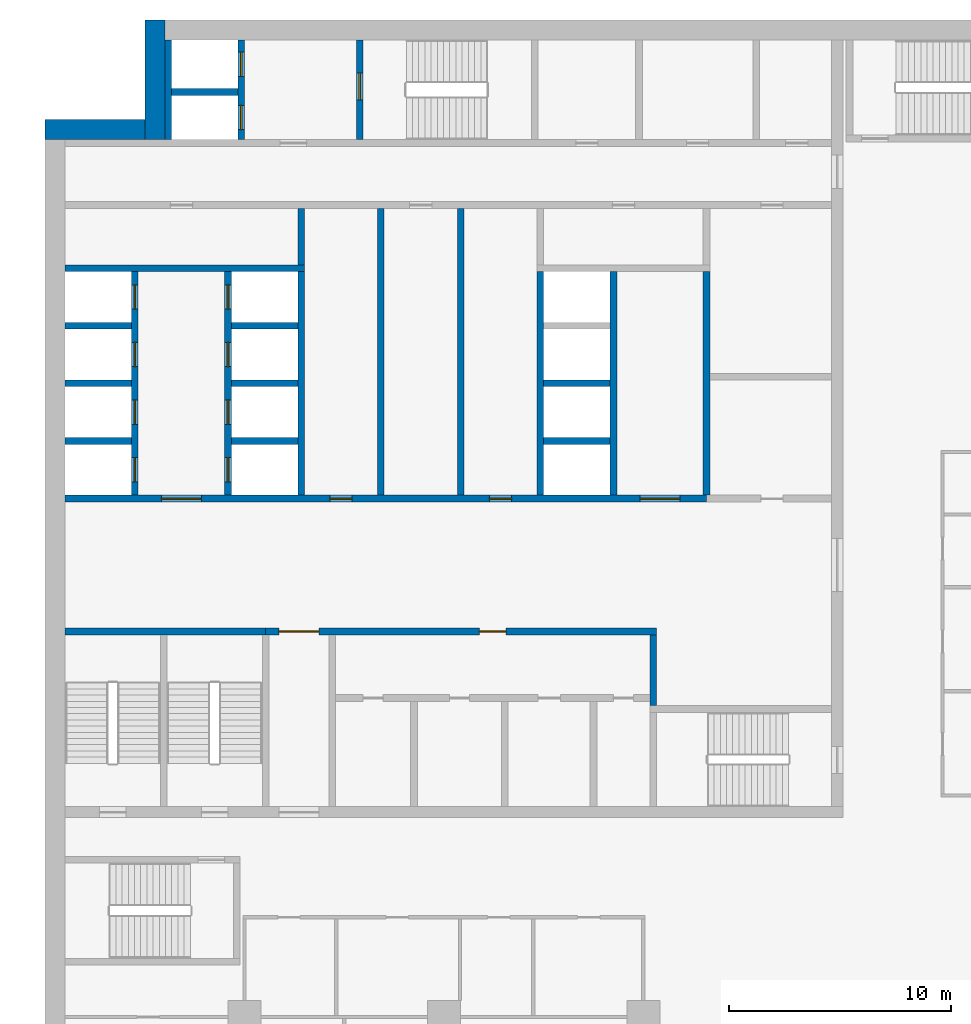
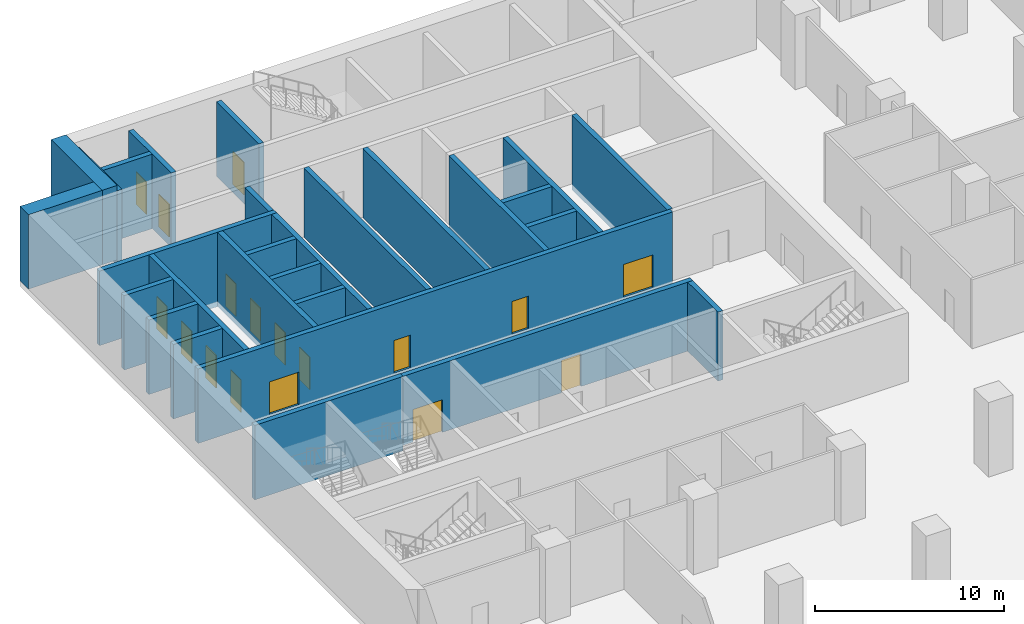
# One storey, part 15 of 31: 28 walls, 17 doors, 17 openings.
"""IFC4 building model written with IfcOpenShell, lengths in metres."""

from ifc_helpers import new_model, si_unit, direction, frame, frame_2d, origin, place, context, subcontext, project, spatial, rectangle, extrude, material, layer, layer_set, type_object, element, fill, save


model = new_model("IFC4")

# Units and contexts
model_context = context("Model", 3, precision=1e-05, world=origin(), true_north=direction((0.0, 1.0)))
body_context = subcontext(model_context, "Body", "Model", "MODEL_VIEW")
ifc_project = project(units=[si_unit("LENGTHUNIT", "METRE"), si_unit("AREAUNIT", "SQUARE_METRE"), si_unit("VOLUMEUNIT", "CUBIC_METRE"), si_unit("PLANEANGLEUNIT", "RADIAN"), si_unit("MASSUNIT", "GRAM", prefix="KILO")], contexts=[model_context])

# Site, building, storey
site_placement = place(None, origin())
site = spatial("IfcSite", under=ifc_project, at=site_placement, CompositionType="ELEMENT")
building_placement = place(site_placement, origin())
building = spatial("IfcBuilding", under=site, at=building_placement, Name="Hunhe Ridgeline Campus", CompositionType="ELEMENT")
storey_placement = place(building_placement, frame((0.0, 0.0, 16.800048828125)))
storey = spatial("IfcBuildingStorey", under=building, at=storey_placement, Name="L03", CompositionType="ELEMENT", Elevation=16.800048828125)

# Wall, openings, doors
ifc_material_1 = material(Name="Masonry concrete blockwork", Category="masonry")
ifc_layer_1 = layer(ifc_material_1, 0.300048828125)
ifc_layer_set_1 = layer_set([ifc_layer_1], Name="Core room partition 300 concrete block")
wall_type_1 = type_object("IfcWallType", Name="Core room partition 300 concrete block", PredefinedType="PARTITIONING", material=ifc_layer_set_1)
wall_1_placement = place(storey_placement, frame((9.949951171875, 71.39990234375, 0.0), z_axis=(0.0, 0.0, 1.0), x_axis=(1.0, 0.0, 0.0)))
wall_1 = element("IfcWall", 1, at=wall_1_placement, inside=storey, type_object=wall_type_1, Name="L03 core partition 13", PredefinedType="PARTITIONING", context=body_context, shape_type="SweptSolid", body=[
    extrude(rectangle(XDim=17.650146484375, YDim=0.300048828125, at=frame_2d((8.8251953125, 0.0))), origin(), (0.0, 0.0, 1.0), 4.449951171875),
])
opening_1_placement = place(wall_1_placement, frame((0.60009765625, 0.0, 0.0)))
opening_1 = element("IfcOpeningElement", 2, at=opening_1_placement, cuts=wall_1, Name="Opening CD7", PredefinedType="OPENING", context=body_context, shape_type="SweptSolid", body=[
    extrude(rectangle(XDim=1.800048828125, YDim=2.10009765625, at=frame_2d((0.89990234375, 1.050048828125))), frame((0.0, 0.14990234375, 0.0), z_axis=(0.0, -1.0, 0.0), x_axis=(1.0, 0.0, 0.0)), (0.0, 0.0, 1.0), 0.300048828125),
])
opening_2_placement = place(wall_1_placement, frame((9.64990234375, 0.0, 0.0)))
opening_2 = element("IfcOpeningElement", 3, at=opening_2_placement, cuts=wall_1, Name="Opening CD12", PredefinedType="OPENING", context=body_context, shape_type="SweptSolid", body=[
    extrude(rectangle(XDim=1.199951171875, YDim=2.10009765625, at=frame_2d((0.60009765625, 1.050048828125))), frame((0.0, 0.14990234375, 0.0), z_axis=(0.0, -1.0, 0.0), x_axis=(1.0, 0.0, 0.0)), (0.0, 0.0, 1.0), 0.300048828125),
])
ifc_material_2 = material(Name="Anodised aluminium and glass", Category="aluminium")
door_type_1 = type_object("IfcDoorType", Name="Glazed double door 1800x2100", OperationType="DOUBLE_DOOR_SINGLE_SWING", PredefinedType="DOOR", material=ifc_material_2)
door_1_placement = place(opening_1_placement, origin())
door_1 = element("IfcDoor", 4, at=door_1_placement, inside=storey, type_object=door_type_1, Name="L03 door VEST-HALL", OperationType="DOUBLE_DOOR_SINGLE_SWING", OverallHeight=2.10009765625, OverallWidth=1.800048828125, PredefinedType="DOOR", context=body_context, shape_type="SweptSolid", body=[
    extrude(rectangle(XDim=1.800048828125, YDim=2.10009765625, at=frame_2d((0.89990234375, 1.050048828125))), frame((0.0, 0.02490234375, 0.0), z_axis=(0.0, -1.0, 0.0), x_axis=(1.0, 0.0, 0.0)), (0.0, 0.0, 1.0), 0.050048828125),
])
fill(opening_1, door_1)
ifc_material_3 = material(Name="Solid core timber door leaf", Category="wood")
door_type_2 = type_object("IfcDoorType", Name="Timber door 1200x2100", OperationType="SINGLE_SWING_LEFT", PredefinedType="DOOR", material=ifc_material_3)
door_2_placement = place(opening_2_placement, origin())
door_2 = element("IfcDoor", 5, at=door_2_placement, inside=storey, type_object=door_type_2, Name="L03 door WCL2-HALL", OperationType="SINGLE_SWING_LEFT", OverallHeight=2.10009765625, OverallWidth=1.199951171875, PredefinedType="DOOR", context=body_context, shape_type="SweptSolid", body=[
    extrude(rectangle(XDim=1.199951171875, YDim=2.10009765625, at=frame_2d((0.60009765625, 1.050048828125))), frame((0.0, 0.02490234375, 0.0), z_axis=(0.0, -1.0, 0.0), x_axis=(1.0, 0.0, 0.0)), (0.0, 0.0, 1.0), 0.050048828125),
])
fill(opening_2, door_2)

# Walls
wall_2_placement = place(storey_placement, frame((11.550048828125, 87.949951171875, 0.0), z_axis=(0.0, 0.0, 1.0), x_axis=(0.0, 1.0, 0.0)))
element("IfcWall", 6, at=wall_2_placement, inside=storey, type_object=wall_type_1, Name="L03 core partition 44", PredefinedType="PARTITIONING", context=body_context, shape_type="SweptSolid", body=[
    extrude(rectangle(XDim=2.550048828125, YDim=0.300048828125, at=frame_2d((1.27490234375, 0.0))), origin(), (0.0, 0.0, 1.0), 4.449951171875),
])
for number, where, z_axis, x_axis, name in (
    (7, (15.14990234375, 77.550048828125, 0.0), (0.0, 0.0, 1.0), (0.0, 1.0, 0.0), "L03 core partition 47"),
    (8, (18.75, 77.550048828125, 0.0), (0.0, 0.0, 1.0), (0.0, 1.0, 0.0), "L03 core partition 49"),
):
    element("IfcWall", number, at=place(storey_placement, frame(where, z_axis=z_axis, x_axis=x_axis)), inside=storey, type_object=wall_type_1, Name=name, PredefinedType="PARTITIONING", context=body_context, shape_type="SweptSolid", body=[
        extrude(rectangle(XDim=12.949951171875, YDim=0.300048828125, at=frame_2d((6.47509765625, 0.0))), origin(), (0.0, 0.0, 1.0), 4.449951171875),
    ])
wall_3_placement = place(storey_placement, frame((27.449951171875, 68.050048828125, 0.0), z_axis=(0.0, 0.0, 1.0), x_axis=(0.0, 1.0, 0.0)))
element("IfcWall", 9, at=wall_3_placement, inside=storey, type_object=wall_type_1, Name="L03 core partition 60", PredefinedType="PARTITIONING", context=body_context, shape_type="SweptSolid", body=[
    extrude(rectangle(XDim=3.199951171875, YDim=0.300048828125, at=frame_2d((1.60009765625, 0.0))), origin(), (0.0, 0.0, 1.0), 4.449951171875),
])
ifc_material_4 = material(Name="Concrete C80", Category="concrete")
ifc_layer_2 = layer(ifc_material_4, 0.300048828125)
ifc_layer_set_2 = layer_set([ifc_layer_2], Name="Lobby wall 300 reinforced concrete C80")
wall_type_2 = type_object("IfcWallType", Name="Lobby wall 300 reinforced concrete C80", PredefinedType="SOLIDWALL", material=ifc_layer_set_2)
wall_4_placement = place(storey_placement, frame((29.85009765625, 77.550048828125, -0.35009765625), z_axis=(0.0, 0.0, 1.0), x_axis=(0.0, 1.0, 0.0)))
element("IfcWall", 10, at=wall_4_placement, inside=storey, type_object=wall_type_2, Name="L03 core wall 61", PredefinedType="SOLIDWALL", context=body_context, shape_type="SweptSolid", body=[
    extrude(rectangle(XDim=10.099853515625, YDim=0.300048828125, at=frame_2d((5.0498046875, 0.0))), origin(), (0.0, 0.0, 1.0), 4.800048828125),
])

# Wall, openings, doors
ifc_layer_3 = layer(ifc_material_4, 0.300048828125)
ifc_layer_set_3 = layer_set([ifc_layer_3], Name="Shaft wall 300 reinforced concrete C80")
wall_type_3 = type_object("IfcWallType", Name="Shaft wall 300 reinforced concrete C80", PredefinedType="SOLIDWALL", material=ifc_layer_set_3)
wall_5_placement = place(storey_placement, frame((0.89990234375, 77.39990234375, -0.35009765625), z_axis=(0.0, 0.0, 1.0), x_axis=(1.0, 0.0, 0.0)))
wall_5 = element("IfcWall", 11, at=wall_5_placement, inside=storey, type_object=wall_type_3, Name="L03 core wall 14", PredefinedType="SOLIDWALL", context=body_context, shape_type="SweptSolid", body=[
    extrude(rectangle(XDim=28.9501953125, YDim=0.300048828125, at=frame_2d((14.47509765625, 0.0))), origin(), (0.0, 0.0, 1.0), 4.800048828125),
])
opening_3_placement = place(wall_5_placement, frame((4.35009765625, 0.0, 0.35009765625)))
opening_3 = element("IfcOpeningElement", 12, at=opening_3_placement, cuts=wall_5, Name="Opening CD1", PredefinedType="OPENING", context=body_context, shape_type="SweptSolid", body=[
    extrude(rectangle(XDim=1.800048828125, YDim=2.10009765625, at=frame_2d((0.89990234375, 1.050048828125))), frame((0.0, 0.14990234375, 0.0), z_axis=(0.0, -1.0, 0.0), x_axis=(1.0, 0.0, 0.0)), (0.0, 0.0, 1.0), 0.300048828125),
])
opening_4_placement = place(wall_5_placement, frame((25.949951171875, 0.0, 0.35009765625)))
opening_4 = element("IfcOpeningElement", 13, at=opening_4_placement, cuts=wall_5, Name="Opening CD2", PredefinedType="OPENING", context=body_context, shape_type="SweptSolid", body=[
    extrude(rectangle(XDim=1.800048828125, YDim=2.10009765625, at=frame_2d((0.89990234375, 1.050048828125))), frame((0.0, 0.14990234375, 0.0), z_axis=(0.0, -1.0, 0.0), x_axis=(1.0, 0.0, 0.0)), (0.0, 0.0, 1.0), 0.300048828125),
])
opening_5_placement = place(wall_5_placement, frame((11.949951171875, 0.0, 0.35009765625)))
opening_5 = element("IfcOpeningElement", 14, at=opening_5_placement, cuts=wall_5, Name="Opening CD28", PredefinedType="OPENING", context=body_context, shape_type="SweptSolid", body=[
    extrude(rectangle(XDim=1.0, YDim=2.10009765625, at=frame_2d((0.5, 1.050048828125))), frame((0.0, 0.14990234375, 0.0), z_axis=(0.0, -1.0, 0.0), x_axis=(1.0, 0.0, 0.0)), (0.0, 0.0, 1.0), 0.300048828125),
])
opening_6_placement = place(wall_5_placement, frame((19.14990234375, 0.0, 0.35009765625)))
opening_6 = element("IfcOpeningElement", 15, at=opening_6_placement, cuts=wall_5, Name="Opening CD30", PredefinedType="OPENING", context=body_context, shape_type="SweptSolid", body=[
    extrude(rectangle(XDim=1.0, YDim=2.10009765625, at=frame_2d((0.5, 1.050048828125))), frame((0.0, 0.14990234375, 0.0), z_axis=(0.0, -1.0, 0.0), x_axis=(1.0, 0.0, 0.0)), (0.0, 0.0, 1.0), 0.300048828125),
])
ifc_material_5 = material(Name="Hollow metal fire door leaf")
door_type_3 = type_object("IfcDoorType", Name="Lobby door 1800x2100 FD60", OperationType="SINGLE_SWING_LEFT", PredefinedType="DOOR", material=ifc_material_5)
door_3_placement = place(opening_3_placement, frame((1.800048828125, 0.0, 0.0), z_axis=(0.0, 0.0, 1.0), x_axis=(-1.0, 0.0, 0.0)))
door_3 = element("IfcDoor", 16, at=door_3_placement, inside=storey, type_object=door_type_3, Name="L03 door LOB-LR", OperationType="SINGLE_SWING_RIGHT", OverallHeight=2.10009765625, OverallWidth=1.800048828125, PredefinedType="DOOR", context=body_context, shape_type="SweptSolid", body=[
    extrude(rectangle(XDim=1.800048828125, YDim=2.10009765625, at=frame_2d((0.89990234375, 1.050048828125))), frame((0.0, 0.02490234375, 0.0), z_axis=(0.0, -1.0, 0.0), x_axis=(1.0, 0.0, 0.0)), (0.0, 0.0, 1.0), 0.050048828125),
])
fill(opening_3, door_3)
door_4_placement = place(opening_4_placement, frame((1.800048828125, 0.0, 0.0), z_axis=(0.0, 0.0, 1.0), x_axis=(-1.0, 0.0, 0.0)))
door_4 = element("IfcDoor", 17, at=door_4_placement, inside=storey, type_object=door_type_3, Name="L03 door LOB-SH", OperationType="SINGLE_SWING_LEFT", OverallHeight=2.10009765625, OverallWidth=1.800048828125, PredefinedType="DOOR", context=body_context, shape_type="SweptSolid", body=[
    extrude(rectangle(XDim=1.800048828125, YDim=2.10009765625, at=frame_2d((0.89990234375, 1.050048828125))), frame((0.0, 0.02490234375, 0.0), z_axis=(0.0, -1.0, 0.0), x_axis=(1.0, 0.0, 0.0)), (0.0, 0.0, 1.0), 0.050048828125),
])
fill(opening_4, door_4)
door_type_4 = type_object("IfcDoorType", Name="Timber door 1000x2100", OperationType="SINGLE_SWING_LEFT", PredefinedType="DOOR", material=ifc_material_3)
door_5_placement = place(opening_5_placement, origin())
door_5 = element("IfcDoor", 18, at=door_5_placement, inside=storey, type_object=door_type_4, Name="L03 door VD-HR0", OperationType="SINGLE_SWING_LEFT", OverallHeight=2.10009765625, OverallWidth=1.0, PredefinedType="DOOR", context=body_context, shape_type="SweptSolid", body=[
    extrude(rectangle(XDim=1.0, YDim=2.10009765625, at=frame_2d((0.5, 1.050048828125))), frame((0.0, 0.02490234375, 0.0), z_axis=(0.0, -1.0, 0.0), x_axis=(1.0, 0.0, 0.0)), (0.0, 0.0, 1.0), 0.050048828125),
])
fill(opening_5, door_5)
door_6_placement = place(opening_6_placement, origin())
door_6 = element("IfcDoor", 19, at=door_6_placement, inside=storey, type_object=door_type_4, Name="L03 door VD-HR2", OperationType="SINGLE_SWING_LEFT", OverallHeight=2.10009765625, OverallWidth=1.0, PredefinedType="DOOR", context=body_context, shape_type="SweptSolid", body=[
    extrude(rectangle(XDim=1.0, YDim=2.10009765625, at=frame_2d((0.5, 1.050048828125))), frame((0.0, 0.02490234375, 0.0), z_axis=(0.0, -1.0, 0.0), x_axis=(1.0, 0.0, 0.0)), (0.0, 0.0, 1.0), 0.050048828125),
])
fill(opening_6, door_6)

# Walls
for number, where, z_axis, x_axis, name in (
    (20, (0.89990234375, 80.0, -0.35009765625), (0.0, 0.0, 1.0), (1.0, 0.0, 0.0), "L03 core wall 16"),
    (21, (8.39990234375, 80.0, -0.35009765625), (0.0, 0.0, 1.0), (1.0, 0.0, 0.0), "L03 core wall 17"),
    (22, (22.5, 80.0, -0.35009765625), (0.0, 0.0, 1.0), (1.0, 0.0, 0.0), "L03 core wall 18"),
    (23, (0.89990234375, 82.60009765625, -0.35009765625), (0.0, 0.0, 1.0), (1.0, 0.0, 0.0), "L03 core wall 19"),
    (24, (8.39990234375, 82.60009765625, -0.35009765625), (0.0, 0.0, 1.0), (1.0, 0.0, 0.0), "L03 core wall 20"),
    (25, (22.5, 82.60009765625, -0.35009765625), (0.0, 0.0, 1.0), (1.0, 0.0, 0.0), "L03 core wall 21"),
    (26, (0.89990234375, 85.199951171875, -0.35009765625), (0.0, 0.0, 1.0), (1.0, 0.0, 0.0), "L03 core wall 23"),
    (27, (8.39990234375, 85.199951171875, -0.35009765625), (0.0, 0.0, 1.0), (1.0, 0.0, 0.0), "L03 core wall 24"),
):
    element("IfcWall", number, at=place(storey_placement, frame(where, z_axis=z_axis, x_axis=x_axis)), inside=storey, type_object=wall_type_3, Name=name, PredefinedType="SOLIDWALL", context=body_context, shape_type="SweptSolid", body=[
        extrude(rectangle(XDim=3.0, YDim=0.300048828125, at=frame_2d((1.5, 0.0))), origin(), (0.0, 0.0, 1.0), 4.800048828125),
    ])
wall_6_placement = place(storey_placement, frame((0.89990234375, 87.800048828125, -0.35009765625), z_axis=(0.0, 0.0, 1.0), x_axis=(1.0, 0.0, 0.0)))
element("IfcWall", 28, at=wall_6_placement, inside=storey, type_object=wall_type_3, Name="L03 core wall 26", PredefinedType="SOLIDWALL", context=body_context, shape_type="SweptSolid", body=[
    extrude(rectangle(XDim=10.800048828125, YDim=0.300048828125, at=frame_2d((5.39990234375, 0.0))), origin(), (0.0, 0.0, 1.0), 4.800048828125),
])
wall_7_placement = place(storey_placement, frame((5.699951171875, 95.75, -0.35009765625), z_axis=(0.0, 0.0, 1.0), x_axis=(1.0, 0.0, 0.0)))
element("IfcWall", 29, at=wall_7_placement, inside=storey, type_object=wall_type_3, Name="L03 core wall 34", PredefinedType="SOLIDWALL", context=body_context, shape_type="SweptSolid", body=[
    extrude(rectangle(XDim=3.0, YDim=0.300048828125, at=frame_2d((1.5, 0.0))), origin(), (0.0, 0.0, 1.0), 4.800048828125),
])

# Wall, openings, doors
wall_8_placement = place(storey_placement, frame((4.050048828125, 77.550048828125, -0.35009765625), z_axis=(0.0, 0.0, 1.0), x_axis=(0.0, 1.0, 0.0)))
wall_8 = element("IfcWall", 30, at=wall_8_placement, inside=storey, type_object=wall_type_3, Name="L03 core wall 35", PredefinedType="SOLIDWALL", context=body_context, shape_type="SweptSolid", body=[
    extrude(rectangle(XDim=10.099853515625, YDim=0.300048828125, at=frame_2d((5.0498046875, 0.0))), origin(), (0.0, 0.0, 1.0), 4.800048828125),
])
opening_7_placement = place(wall_8_placement, frame((0.60009765625, 0.0, 0.35009765625)))
opening_7 = element("IfcOpeningElement", 31, at=opening_7_placement, cuts=wall_8, Name="Opening LD-LR1", PredefinedType="OPENING", context=body_context, shape_type="SweptSolid", body=[
    extrude(rectangle(XDim=1.10009765625, YDim=2.10009765625, at=frame_2d((0.550048828125, 1.050048828125))), frame((0.0, 0.14990234375, 0.0), z_axis=(0.0, -1.0, 0.0), x_axis=(1.0, 0.0, 0.0)), (0.0, 0.0, 1.0), 0.300048828125),
])
opening_8_placement = place(wall_8_placement, frame((3.199951171875, 0.0, 0.35009765625)))
opening_8 = element("IfcOpeningElement", 32, at=opening_8_placement, cuts=wall_8, Name="Opening LD-LR2", PredefinedType="OPENING", context=body_context, shape_type="SweptSolid", body=[
    extrude(rectangle(XDim=1.10009765625, YDim=2.10009765625, at=frame_2d((0.550048828125, 1.050048828125))), frame((0.0, 0.14990234375, 0.0), z_axis=(0.0, -1.0, 0.0), x_axis=(1.0, 0.0, 0.0)), (0.0, 0.0, 1.0), 0.300048828125),
])
opening_9_placement = place(wall_8_placement, frame((5.800048828125, 0.0, 0.35009765625)))
opening_9 = element("IfcOpeningElement", 33, at=opening_9_placement, cuts=wall_8, Name="Opening LD-LR3", PredefinedType="OPENING", context=body_context, shape_type="SweptSolid", body=[
    extrude(rectangle(XDim=1.10009765625, YDim=2.10009765625, at=frame_2d((0.550048828125, 1.050048828125))), frame((0.0, 0.14990234375, 0.0), z_axis=(0.0, -1.0, 0.0), x_axis=(1.0, 0.0, 0.0)), (0.0, 0.0, 1.0), 0.300048828125),
])
opening_10_placement = place(wall_8_placement, frame((8.39990234375, 0.0, 0.35009765625)))
opening_10 = element("IfcOpeningElement", 34, at=opening_10_placement, cuts=wall_8, Name="Opening LD-LR4", PredefinedType="OPENING", context=body_context, shape_type="SweptSolid", body=[
    extrude(rectangle(XDim=1.10009765625, YDim=2.10009765625, at=frame_2d((0.550048828125, 1.050048828125))), frame((0.0, 0.14990234375, 0.0), z_axis=(0.0, -1.0, 0.0), x_axis=(1.0, 0.0, 0.0)), (0.0, 0.0, 1.0), 0.300048828125),
])
ifc_material_6 = material(Name="Stainless steel sliding leaves", Category="steel")
door_type_5 = type_object("IfcDoorType", Name="Landing door 1100x2100 FD120", OperationType="SLIDING_TO_LEFT", PredefinedType="DOOR", material=ifc_material_6)
door_7_placement = place(opening_7_placement, origin())
door_7 = element("IfcDoor", 35, at=door_7_placement, inside=storey, type_object=door_type_5, Name="L03 landing door LR1", OperationType="SLIDING_TO_RIGHT", OverallHeight=2.10009765625, OverallWidth=1.10009765625, PredefinedType="DOOR", context=body_context, shape_type="SweptSolid", body=[
    extrude(rectangle(XDim=1.10009765625, YDim=2.10009765625, at=frame_2d((0.550048828125, 1.050048828125))), frame((0.0, 0.02490234375, 0.0), z_axis=(0.0, -1.0, 0.0), x_axis=(1.0, 0.0, 0.0)), (0.0, 0.0, 1.0), 0.050048828125),
])
fill(opening_7, door_7)
door_8_placement = place(opening_8_placement, origin())
door_8 = element("IfcDoor", 36, at=door_8_placement, inside=storey, type_object=door_type_5, Name="L03 landing door LR2", OperationType="SLIDING_TO_LEFT", OverallHeight=2.10009765625, OverallWidth=1.10009765625, PredefinedType="DOOR", context=body_context, shape_type="SweptSolid", body=[
    extrude(rectangle(XDim=1.10009765625, YDim=2.10009765625, at=frame_2d((0.550048828125, 1.050048828125))), frame((0.0, 0.02490234375, 0.0), z_axis=(0.0, -1.0, 0.0), x_axis=(1.0, 0.0, 0.0)), (0.0, 0.0, 1.0), 0.050048828125),
])
fill(opening_8, door_8)
door_9_placement = place(opening_9_placement, origin())
door_9 = element("IfcDoor", 37, at=door_9_placement, inside=storey, type_object=door_type_5, Name="L03 landing door LR3", OperationType="SLIDING_TO_RIGHT", OverallHeight=2.10009765625, OverallWidth=1.10009765625, PredefinedType="DOOR", context=body_context, shape_type="SweptSolid", body=[
    extrude(rectangle(XDim=1.10009765625, YDim=2.10009765625, at=frame_2d((0.550048828125, 1.050048828125))), frame((0.0, 0.02490234375, 0.0), z_axis=(0.0, -1.0, 0.0), x_axis=(1.0, 0.0, 0.0)), (0.0, 0.0, 1.0), 0.050048828125),
])
fill(opening_9, door_9)
door_10_placement = place(opening_10_placement, origin())
door_10 = element("IfcDoor", 38, at=door_10_placement, inside=storey, type_object=door_type_5, Name="L03 landing door LR4", OperationType="SLIDING_TO_LEFT", OverallHeight=2.10009765625, OverallWidth=1.10009765625, PredefinedType="DOOR", context=body_context, shape_type="SweptSolid", body=[
    extrude(rectangle(XDim=1.10009765625, YDim=2.10009765625, at=frame_2d((0.550048828125, 1.050048828125))), frame((0.0, 0.02490234375, 0.0), z_axis=(0.0, -1.0, 0.0), x_axis=(1.0, 0.0, 0.0)), (0.0, 0.0, 1.0), 0.050048828125),
])
fill(opening_10, door_10)

# Wall
wall_9_placement = place(storey_placement, frame((5.550048828125, 93.60009765625, -0.35009765625), z_axis=(0.0, 0.0, 1.0), x_axis=(0.0, 1.0, 0.0)))
element("IfcWall", 39, at=wall_9_placement, inside=storey, type_object=wall_type_3, Name="L03 core wall 37", PredefinedType="SOLIDWALL", context=body_context, shape_type="SweptSolid", body=[
    extrude(rectangle(XDim=4.5, YDim=0.300048828125, at=frame_2d((2.25, 0.0))), origin(), (0.0, 0.0, 1.0), 4.800048828125),
])

# Wall, openings, doors
wall_10_placement = place(storey_placement, frame((8.25, 77.550048828125, -0.35009765625), z_axis=(0.0, 0.0, 1.0), x_axis=(0.0, 1.0, 0.0)))
wall_10 = element("IfcWall", 40, at=wall_10_placement, inside=storey, type_object=wall_type_3, Name="L03 core wall 38", PredefinedType="SOLIDWALL", context=body_context, shape_type="SweptSolid", body=[
    extrude(rectangle(XDim=10.099853515625, YDim=0.300048828125, at=frame_2d((5.0498046875, 0.0))), origin(), (0.0, 0.0, 1.0), 4.800048828125),
])
opening_11_placement = place(wall_10_placement, frame((0.60009765625, 0.0, 0.35009765625)))
opening_11 = element("IfcOpeningElement", 41, at=opening_11_placement, cuts=wall_10, Name="Opening LD-LR5", PredefinedType="OPENING", context=body_context, shape_type="SweptSolid", body=[
    extrude(rectangle(XDim=1.10009765625, YDim=2.10009765625, at=frame_2d((0.550048828125, 1.050048828125))), frame((0.0, 0.14990234375, 0.0), z_axis=(0.0, -1.0, 0.0), x_axis=(1.0, 0.0, 0.0)), (0.0, 0.0, 1.0), 0.300048828125),
])
opening_12_placement = place(wall_10_placement, frame((3.199951171875, 0.0, 0.35009765625)))
opening_12 = element("IfcOpeningElement", 42, at=opening_12_placement, cuts=wall_10, Name="Opening LD-LR6", PredefinedType="OPENING", context=body_context, shape_type="SweptSolid", body=[
    extrude(rectangle(XDim=1.10009765625, YDim=2.10009765625, at=frame_2d((0.550048828125, 1.050048828125))), frame((0.0, 0.14990234375, 0.0), z_axis=(0.0, -1.0, 0.0), x_axis=(1.0, 0.0, 0.0)), (0.0, 0.0, 1.0), 0.300048828125),
])
opening_13_placement = place(wall_10_placement, frame((5.800048828125, 0.0, 0.35009765625)))
opening_13 = element("IfcOpeningElement", 43, at=opening_13_placement, cuts=wall_10, Name="Opening LD-LR7", PredefinedType="OPENING", context=body_context, shape_type="SweptSolid", body=[
    extrude(rectangle(XDim=1.10009765625, YDim=2.10009765625, at=frame_2d((0.550048828125, 1.050048828125))), frame((0.0, 0.14990234375, 0.0), z_axis=(0.0, -1.0, 0.0), x_axis=(1.0, 0.0, 0.0)), (0.0, 0.0, 1.0), 0.300048828125),
])
opening_14_placement = place(wall_10_placement, frame((8.39990234375, 0.0, 0.35009765625)))
opening_14 = element("IfcOpeningElement", 44, at=opening_14_placement, cuts=wall_10, Name="Opening LD-LR8", PredefinedType="OPENING", context=body_context, shape_type="SweptSolid", body=[
    extrude(rectangle(XDim=1.10009765625, YDim=2.10009765625, at=frame_2d((0.550048828125, 1.050048828125))), frame((0.0, 0.14990234375, 0.0), z_axis=(0.0, -1.0, 0.0), x_axis=(1.0, 0.0, 0.0)), (0.0, 0.0, 1.0), 0.300048828125),
])
door_11_placement = place(opening_11_placement, origin())
door_11 = element("IfcDoor", 45, at=door_11_placement, inside=storey, type_object=door_type_5, Name="L03 landing door LR5", OperationType="SLIDING_TO_RIGHT", OverallHeight=2.10009765625, OverallWidth=1.10009765625, PredefinedType="DOOR", context=body_context, shape_type="SweptSolid", body=[
    extrude(rectangle(XDim=1.10009765625, YDim=2.10009765625, at=frame_2d((0.550048828125, 1.050048828125))), frame((0.0, 0.02490234375, 0.0), z_axis=(0.0, -1.0, 0.0), x_axis=(1.0, 0.0, 0.0)), (0.0, 0.0, 1.0), 0.050048828125),
])
fill(opening_11, door_11)
door_12_placement = place(opening_12_placement, origin())
door_12 = element("IfcDoor", 46, at=door_12_placement, inside=storey, type_object=door_type_5, Name="L03 landing door LR6", OperationType="SLIDING_TO_LEFT", OverallHeight=2.10009765625, OverallWidth=1.10009765625, PredefinedType="DOOR", context=body_context, shape_type="SweptSolid", body=[
    extrude(rectangle(XDim=1.10009765625, YDim=2.10009765625, at=frame_2d((0.550048828125, 1.050048828125))), frame((0.0, 0.02490234375, 0.0), z_axis=(0.0, -1.0, 0.0), x_axis=(1.0, 0.0, 0.0)), (0.0, 0.0, 1.0), 0.050048828125),
])
fill(opening_12, door_12)
door_13_placement = place(opening_13_placement, origin())
door_13 = element("IfcDoor", 47, at=door_13_placement, inside=storey, type_object=door_type_5, Name="L03 landing door LR7", OperationType="SLIDING_TO_RIGHT", OverallHeight=2.10009765625, OverallWidth=1.10009765625, PredefinedType="DOOR", context=body_context, shape_type="SweptSolid", body=[
    extrude(rectangle(XDim=1.10009765625, YDim=2.10009765625, at=frame_2d((0.550048828125, 1.050048828125))), frame((0.0, 0.02490234375, 0.0), z_axis=(0.0, -1.0, 0.0), x_axis=(1.0, 0.0, 0.0)), (0.0, 0.0, 1.0), 0.050048828125),
])
fill(opening_13, door_13)
door_14_placement = place(opening_14_placement, origin())
door_14 = element("IfcDoor", 48, at=door_14_placement, inside=storey, type_object=door_type_5, Name="L03 landing door LR8", OperationType="SLIDING_TO_LEFT", OverallHeight=2.10009765625, OverallWidth=1.10009765625, PredefinedType="DOOR", context=body_context, shape_type="SweptSolid", body=[
    extrude(rectangle(XDim=1.10009765625, YDim=2.10009765625, at=frame_2d((0.550048828125, 1.050048828125))), frame((0.0, 0.02490234375, 0.0), z_axis=(0.0, -1.0, 0.0), x_axis=(1.0, 0.0, 0.0)), (0.0, 0.0, 1.0), 0.050048828125),
])
fill(opening_14, door_14)

wall_11_placement = place(storey_placement, frame((8.85009765625, 93.60009765625, -0.35009765625), z_axis=(0.0, 0.0, 1.0), x_axis=(0.0, 1.0, 0.0)))
wall_11 = element("IfcWall", 49, at=wall_11_placement, inside=storey, type_object=wall_type_3, Name="L03 core wall 41", PredefinedType="SOLIDWALL", context=body_context, shape_type="SweptSolid", body=[
    extrude(rectangle(XDim=4.5, YDim=0.300048828125, at=frame_2d((2.25, 0.0))), origin(), (0.0, 0.0, 1.0), 4.800048828125),
])
opening_15_placement = place(wall_11_placement, frame((0.449951171875, 0.0, 0.35009765625)))
opening_15 = element("IfcOpeningElement", 50, at=opening_15_placement, cuts=wall_11, Name="Opening LD-FF1", PredefinedType="OPENING", context=body_context, shape_type="SweptSolid", body=[
    extrude(rectangle(XDim=1.10009765625, YDim=2.10009765625, at=frame_2d((0.550048828125, 1.050048828125))), frame((0.0, 0.14990234375, 0.0), z_axis=(0.0, -1.0, 0.0), x_axis=(1.0, 0.0, 0.0)), (0.0, 0.0, 1.0), 0.300048828125),
])
opening_16_placement = place(wall_11_placement, frame((2.85009765625, 0.0, 0.35009765625)))
opening_16 = element("IfcOpeningElement", 51, at=opening_16_placement, cuts=wall_11, Name="Opening LD-FF2", PredefinedType="OPENING", context=body_context, shape_type="SweptSolid", body=[
    extrude(rectangle(XDim=1.10009765625, YDim=2.10009765625, at=frame_2d((0.550048828125, 1.050048828125))), frame((0.0, 0.14990234375, 0.0), z_axis=(0.0, -1.0, 0.0), x_axis=(1.0, 0.0, 0.0)), (0.0, 0.0, 1.0), 0.300048828125),
])
door_15_placement = place(opening_15_placement, origin())
door_15 = element("IfcDoor", 52, at=door_15_placement, inside=storey, type_object=door_type_5, Name="L03 landing door FF1", OperationType="SLIDING_TO_RIGHT", OverallHeight=2.10009765625, OverallWidth=1.10009765625, PredefinedType="DOOR", context=body_context, shape_type="SweptSolid", body=[
    extrude(rectangle(XDim=1.10009765625, YDim=2.10009765625, at=frame_2d((0.550048828125, 1.050048828125))), frame((0.0, 0.02490234375, 0.0), z_axis=(0.0, -1.0, 0.0), x_axis=(1.0, 0.0, 0.0)), (0.0, 0.0, 1.0), 0.050048828125),
])
fill(opening_15, door_15)
door_16_placement = place(opening_16_placement, origin())
door_16 = element("IfcDoor", 53, at=door_16_placement, inside=storey, type_object=door_type_5, Name="L03 landing door FF2", OperationType="SLIDING_TO_LEFT", OverallHeight=2.10009765625, OverallWidth=1.10009765625, PredefinedType="DOOR", context=body_context, shape_type="SweptSolid", body=[
    extrude(rectangle(XDim=1.10009765625, YDim=2.10009765625, at=frame_2d((0.550048828125, 1.050048828125))), frame((0.0, 0.02490234375, 0.0), z_axis=(0.0, -1.0, 0.0), x_axis=(1.0, 0.0, 0.0)), (0.0, 0.0, 1.0), 0.050048828125),
])
fill(opening_16, door_16)

# Walls
for number, where, z_axis, x_axis, name in (
    (54, (11.550048828125, 77.550048828125, -0.35009765625), (0.0, 0.0, 1.0), (0.0, 1.0, 0.0), "L03 core wall 43"),
    (55, (22.35009765625, 77.550048828125, -0.35009765625), (0.0, 0.0, 1.0), (0.0, 1.0, 0.0), "L03 core wall 53"),
    (56, (25.64990234375, 77.550048828125, -0.35009765625), (0.0, 0.0, 1.0), (0.0, 1.0, 0.0), "L03 core wall 57"),
):
    element("IfcWall", number, at=place(storey_placement, frame(where, z_axis=z_axis, x_axis=x_axis)), inside=storey, type_object=wall_type_3, Name=name, PredefinedType="SOLIDWALL", context=body_context, shape_type="SweptSolid", body=[
        extrude(rectangle(XDim=10.099853515625, YDim=0.300048828125, at=frame_2d((5.0498046875, 0.0))), origin(), (0.0, 0.0, 1.0), 4.800048828125),
    ])
ifc_layer_4 = layer(ifc_material_4, 0.89990234375)
ifc_layer_set_4 = layer_set([ifc_layer_4], Name="Spine wall 900 Concrete C80")
wall_type_4 = type_object("IfcWallType", Name="Spine wall 900 Concrete C80", PredefinedType="SHEAR", material=ifc_layer_set_4)
for number, where, z_axis, x_axis, name in (
    (57, (4.949951171875, 99.0, 0.0), (0.0, 0.0, 1.0), (0.0, -1.0, 0.0), "Spine wall SW1-5 L03"),
    (58, (5.400146484375, 94.050048828125, 0.0), (0.0, 0.0, 1.0), (-1.0, 0.0, 0.0), "Spine wall SW1-6 L03"),
):
    element("IfcWall", number, at=place(storey_placement, frame(where, z_axis=z_axis, x_axis=x_axis)), inside=storey, type_object=wall_type_4, Name=name, PredefinedType="SHEAR", context=body_context, shape_type="SweptSolid", body=[
        extrude(rectangle(XDim=5.400146484375, YDim=0.89990234375, at=frame_2d((2.7001953125, 0.0))), origin(), (0.0, 0.0, 1.0), 4.800048828125),
    ])
ifc_layer_5 = layer(ifc_material_4, 0.300048828125)
ifc_layer_set_5 = layer_set([ifc_layer_5], Name="Stair wall 300 reinforced concrete C80")
wall_type_5 = type_object("IfcWallType", Name="Stair wall 300 reinforced concrete C80", PredefinedType="SOLIDWALL", material=ifc_layer_set_5)
wall_12_placement = place(storey_placement, frame((0.89990234375, 71.39990234375, -0.35009765625), z_axis=(0.0, 0.0, 1.0), x_axis=(1.0, 0.0, 0.0)))
element("IfcWall", 59, at=wall_12_placement, inside=storey, type_object=wall_type_5, Name="L03 core wall 12", PredefinedType="SOLIDWALL", context=body_context, shape_type="SweptSolid", body=[
    extrude(rectangle(XDim=9.050048828125, YDim=0.300048828125, at=frame_2d((4.52490234375, 0.0))), origin(), (0.0, 0.0, 1.0), 4.800048828125),
])

# Wall, opening, door
wall_13_placement = place(storey_placement, frame((14.199951171875, 93.60009765625, -0.35009765625), z_axis=(0.0, 0.0, 1.0), x_axis=(0.0, 1.0, 0.0)))
wall_13 = element("IfcWall", 60, at=wall_13_placement, inside=storey, type_object=wall_type_5, Name="L03 core wall 46", PredefinedType="SOLIDWALL", context=body_context, shape_type="SweptSolid", body=[
    extrude(rectangle(XDim=4.5, YDim=0.300048828125, at=frame_2d((2.25, 0.0))), origin(), (0.0, 0.0, 1.0), 4.800048828125),
])
opening_17_placement = place(wall_13_placement, frame((1.800048828125, 0.0, 0.35009765625)))
opening_17 = element("IfcOpeningElement", 61, at=opening_17_placement, cuts=wall_13, Name="Opening CD16", PredefinedType="OPENING", context=body_context, shape_type="SweptSolid", body=[
    extrude(rectangle(XDim=1.199951171875, YDim=2.10009765625, at=frame_2d((0.60009765625, 1.050048828125))), frame((0.0, 0.14990234375, 0.0), z_axis=(0.0, -1.0, 0.0), x_axis=(1.0, 0.0, 0.0)), (0.0, 0.0, 1.0), 0.300048828125),
])
door_type_6 = type_object("IfcDoorType", Name="Stair door 1200x2100 FD60", OperationType="SINGLE_SWING_LEFT", PredefinedType="DOOR", material=ifc_material_5)
door_17_placement = place(opening_17_placement, origin())
door_17 = element("IfcDoor", 62, at=door_17_placement, inside=storey, type_object=door_type_6, Name="L03 door S1-FF", OperationType="SINGLE_SWING_LEFT", OverallHeight=2.10009765625, OverallWidth=1.199951171875, PredefinedType="DOOR", context=body_context, shape_type="SweptSolid", body=[
    extrude(rectangle(XDim=1.199951171875, YDim=2.10009765625, at=frame_2d((0.60009765625, 1.050048828125))), frame((0.0, 0.02490234375, 0.0), z_axis=(0.0, -1.0, 0.0), x_axis=(1.0, 0.0, 0.0)), (0.0, 0.0, 1.0), 0.050048828125),
])
fill(opening_17, door_17)

save(model, "model.ifc")
